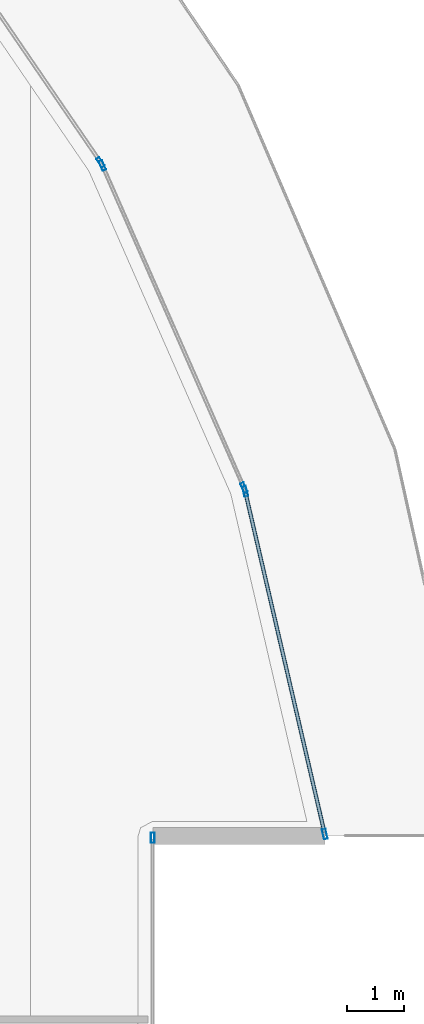
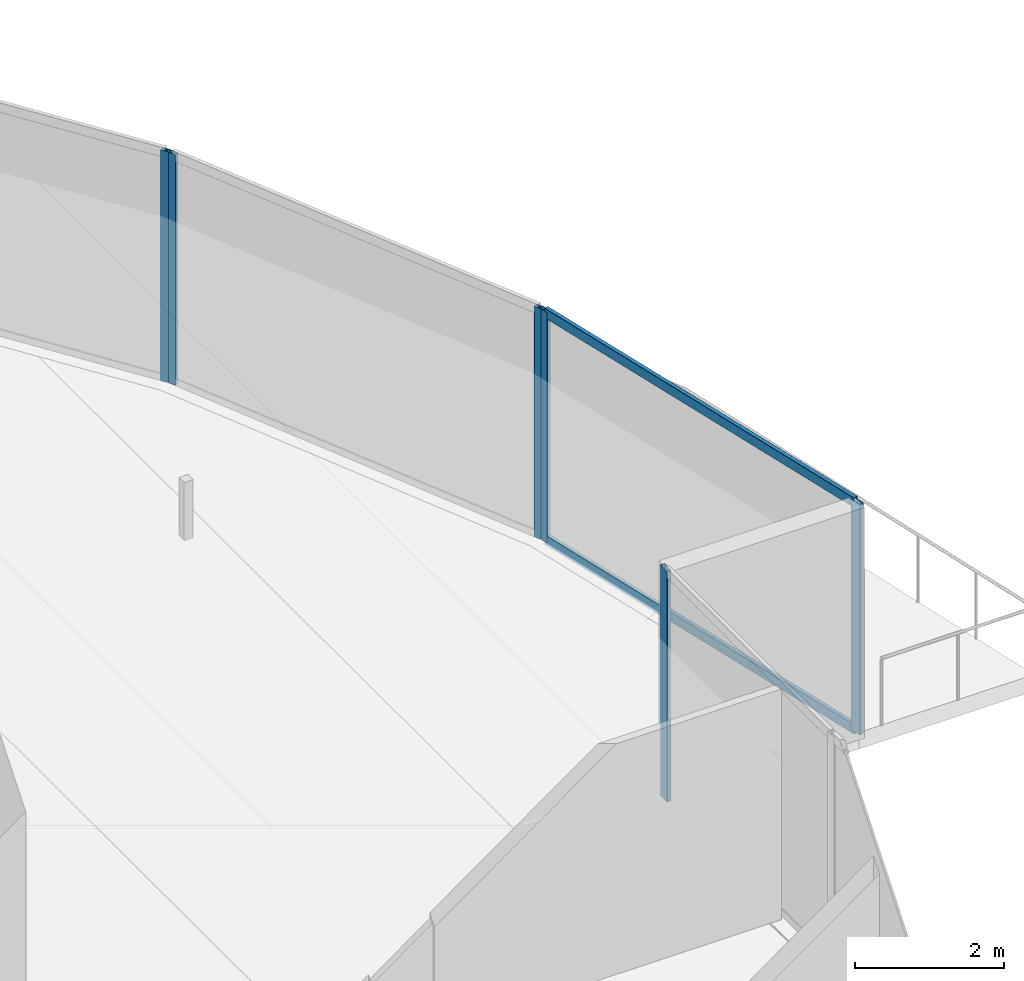
# One storey, part 20 of 36: 8 members, 4 elements without a shape of their own.
"""IFC4 building model written with IfcOpenShell, lengths in metres."""

from ifc_helpers import new_model, si_unit, direction, frame, origin, origin_2d, place, context, subcontext, project, spatial, hollow_rectangle, extrude, material, layer, layer_set, material_profile, profile_set, type_object, element, aggregate, save


model = new_model("IFC4")

# Units and contexts
model_context = context("Model", 3, precision=1e-05, world=origin(), true_north=direction((0.0, 1.0)))
body_context = subcontext(model_context, "Body", "Model", "MODEL_VIEW")
ifc_project = project(units=[si_unit("LENGTHUNIT", "METRE"), si_unit("AREAUNIT", "SQUARE_METRE"), si_unit("VOLUMEUNIT", "CUBIC_METRE"), si_unit("PLANEANGLEUNIT", "RADIAN"), si_unit("MASSUNIT", "GRAM", prefix="KILO")], contexts=[model_context])

# Site, building, storey
site_placement = place(None, origin())
site = spatial("IfcSite", under=ifc_project, at=site_placement, CompositionType="ELEMENT")
building_placement = place(site_placement, origin())
building = spatial("IfcBuilding", under=site, at=building_placement, Name="Qorvath Tower", CompositionType="ELEMENT")
storey_placement = place(building_placement, frame((0.0, 0.0, 192.89990234375)))
storey = spatial("IfcBuildingStorey", under=building, at=storey_placement, Name="L44", CompositionType="ELEMENT", Elevation=192.89990234375)

# Curtain wall, member
ifc_material_1 = material(Name="Anodised aluminium and triple low-E glass", Category="aluminium")
ifc_layer = layer(ifc_material_1, 0.179931640625)
ifc_layer_set = layer_set([ifc_layer], Name="CW-SYS-3")
curtain_wall_type = type_object("IfcCurtainWallType", Name="CW-SYS-3", PredefinedType="NOTDEFINED", material=ifc_layer_set)
curtain_wall_1_placement = place(storey_placement, origin())
curtain_wall_1 = element("IfcCurtainWall", 1, at=curtain_wall_1_placement, inside=storey, type_object=curtain_wall_type, Name="Curtain Wall CW-3 CW-T-L44-9.1", PredefinedType="NOTDEFINED")
ifc_material_2 = material(Name="Anodised aluminium 6063-T6", Category="aluminium")
ifc_material_profile_1 = material_profile(ifc_material_2, hollow_rectangle(XDim=0.06494140625, YDim=0.179931640625, WallThickness=0.00341796875, InnerFilletRadius=0.00341796875, OuterFilletRadius=0.007080078125, at=origin_2d()), Name="CWM 180x65")
ifc_profile_set_1 = profile_set([ifc_material_profile_1], Name="Anodised aluminium 6063-T6")
member_type_1 = type_object("IfcMemberType", Name="CWM-180", PredefinedType="MULLION", material=ifc_profile_set_1)
member_1_placement = place(storey_placement, frame((-1.3291015625, 4.4873046875, 0.0), z_axis=(0.0, 0.0, 1.0), x_axis=(-1.0, 0.0, 0.0)))
member_1 = element("IfcMember", 2, at=member_1_placement, type_object=member_type_1, Name="CW-3 mullion 3", PredefinedType="MULLION", context=body_context, shape_type="SweptSolid", body=[
    extrude(hollow_rectangle(XDim=0.06494140625, YDim=0.179931640625, WallThickness=0.00341796875, InnerFilletRadius=0.00341796875, OuterFilletRadius=0.007080078125, at=origin_2d()), origin(), (0.0, 0.0, 1.0), 3.780029296875),
])
aggregate(curtain_wall_1, [member_1])

# Curtain wall, members
curtain_wall_2_placement = place(storey_placement, origin())
curtain_wall_2 = element("IfcCurtainWall", 3, at=curtain_wall_2_placement, inside=storey, type_object=curtain_wall_type, Name="Curtain Wall CW-3 CW-T-L44-11.1", PredefinedType="NOTDEFINED")
member_2_placement = place(storey_placement, frame((1.6767578125, 4.551513671875, 0.0), z_axis=(0.0, 0.0, 1.0), x_axis=(-0.974064216624, -0.226271743469, 0.0)))
member_2 = element("IfcMember", 4, at=member_2_placement, type_object=member_type_1, Name="CW-3 mullion 1", PredefinedType="MULLION", context=body_context, shape_type="SweptSolid", body=[
    extrude(hollow_rectangle(XDim=0.06494140625, YDim=0.179931640625, WallThickness=0.00341796875, InnerFilletRadius=0.00341796875, OuterFilletRadius=0.007080078125, at=origin_2d()), origin(), (0.0, 0.0, 1.0), 3.780029296875),
])
member_3_placement = place(storey_placement, frame((0.28515625, 10.5419921875, 0.0), z_axis=(0.0, 0.0, 1.0), x_axis=(-0.974064216624, -0.226271743469, 0.0)))
member_3 = element("IfcMember", 5, at=member_3_placement, type_object=member_type_1, Name="CW-3 mullion 2", PredefinedType="MULLION", context=body_context, shape_type="SweptSolid", body=[
    extrude(hollow_rectangle(XDim=0.06494140625, YDim=0.179931640625, WallThickness=0.00341796875, InnerFilletRadius=0.00341796875, OuterFilletRadius=0.007080078125, at=origin_2d()), origin(), (0.0, 0.0, 1.0), 3.780029296875),
])

curtain_wall_3_placement = place(storey_placement, origin())
curtain_wall_3 = element("IfcCurtainWall", 6, at=curtain_wall_3_placement, inside=storey, type_object=curtain_wall_type, Name="Curtain Wall CW-3 CW-T-L44-12.1", PredefinedType="NOTDEFINED")
member_4_placement = place(storey_placement, frame((0.2646484375, 10.603515625, 0.0), z_axis=(0.0, 0.0, 1.0), x_axis=(-0.915498802884, -0.402320695364, 0.0)))
member_4 = element("IfcMember", 7, at=member_4_placement, type_object=member_type_1, Name="CW-3 mullion 1", PredefinedType="MULLION", context=body_context, shape_type="SweptSolid", body=[
    extrude(hollow_rectangle(XDim=0.06494140625, YDim=0.179931640625, WallThickness=0.00341796875, InnerFilletRadius=0.00341796875, OuterFilletRadius=0.007080078125, at=origin_2d()), origin(), (0.0, 0.0, 1.0), 3.780029296875),
])
member_5_placement = place(storey_placement, frame((-2.209716796875, 16.23388671875, 0.0), z_axis=(0.0, 0.0, 1.0), x_axis=(-0.915498802884, -0.402320695364, 0.0)))
member_5 = element("IfcMember", 8, at=member_5_placement, type_object=member_type_1, Name="CW-3 mullion 2", PredefinedType="MULLION", context=body_context, shape_type="SweptSolid", body=[
    extrude(hollow_rectangle(XDim=0.06494140625, YDim=0.179931640625, WallThickness=0.00341796875, InnerFilletRadius=0.00341796875, OuterFilletRadius=0.007080078125, at=origin_2d()), origin(), (0.0, 0.0, 1.0), 3.780029296875),
])
aggregate(curtain_wall_3, [member_4, member_5])

# Curtain wall, member
curtain_wall_4_placement = place(storey_placement, origin())
curtain_wall_4 = element("IfcCurtainWall", 9, at=curtain_wall_4_placement, inside=storey, type_object=curtain_wall_type, Name="Curtain Wall CW-3 CW-T-L44-13.1", PredefinedType="NOTDEFINED")
member_6_placement = place(storey_placement, frame((-2.240966796875, 16.29052734375, 0.0), z_axis=(0.0, 0.0, 1.0), x_axis=(-0.825424850974, -0.56451201528, 0.0)))
member_6 = element("IfcMember", 10, at=member_6_placement, type_object=member_type_1, Name="CW-3 mullion 1", PredefinedType="MULLION", context=body_context, shape_type="SweptSolid", body=[
    extrude(hollow_rectangle(XDim=0.06494140625, YDim=0.179931640625, WallThickness=0.00341796875, InnerFilletRadius=0.00341796875, OuterFilletRadius=0.007080078125, at=origin_2d()), origin(), (0.0, 0.0, 1.0), 3.780029296875),
])
aggregate(curtain_wall_4, [member_6])

# Member
ifc_material_3 = material(Name="Anodised aluminium 6063-T6", Category="aluminium")
ifc_material_profile_2 = material_profile(ifc_material_3, hollow_rectangle(XDim=0.06494140625, YDim=0.159912109375, WallThickness=0.00341796875, InnerFilletRadius=0.00341796875, OuterFilletRadius=0.007080078125, at=origin_2d()), Name="CWT 160x65")
ifc_profile_set_2 = profile_set([ifc_material_profile_2], Name="Anodised aluminium 6063-T6")
member_type_2 = type_object("IfcMemberType", Name="CWT-160", PredefinedType="USERDEFINED", material=ifc_profile_set_2)
member_7_placement = place(storey_placement, frame((1.66943359375, 4.5830078125, 0.032470703125), z_axis=(-0.226274499404, 0.974063576426, 0.0), x_axis=(-0.974063576426, -0.226274499404, 0.0)))
member_7 = element("IfcMember", 11, at=member_7_placement, type_object=member_type_2, Name="CW-3 transom 1.1", ObjectType="TRANSOM", PredefinedType="USERDEFINED", context=body_context, shape_type="SweptSolid", body=[
    extrude(hollow_rectangle(XDim=0.06494140625, YDim=0.159912109375, WallThickness=0.00341796875, InnerFilletRadius=0.00341796875, OuterFilletRadius=0.007080078125, at=origin_2d()), origin(), (0.0, 0.0, 1.0), 6.085205078125),
])

member_8_placement = place(storey_placement, frame((1.66943359375, 4.5830078125, 3.74755859375), z_axis=(-0.226274499404, 0.974063576426, 0.0), x_axis=(-0.974063576426, -0.226274499404, 0.0)))
member_8 = element("IfcMember", 12, at=member_8_placement, type_object=member_type_2, Name="CW-3 transom 1.2", ObjectType="TRANSOM", PredefinedType="USERDEFINED", context=body_context, shape_type="SweptSolid", body=[
    extrude(hollow_rectangle(XDim=0.06494140625, YDim=0.159912109375, WallThickness=0.00341796875, InnerFilletRadius=0.00341796875, OuterFilletRadius=0.007080078125, at=origin_2d()), origin(), (0.0, 0.0, 1.0), 6.085205078125),
])

aggregate(curtain_wall_2, [member_2, member_3, member_7, member_8])

save(model, "model.ifc")
